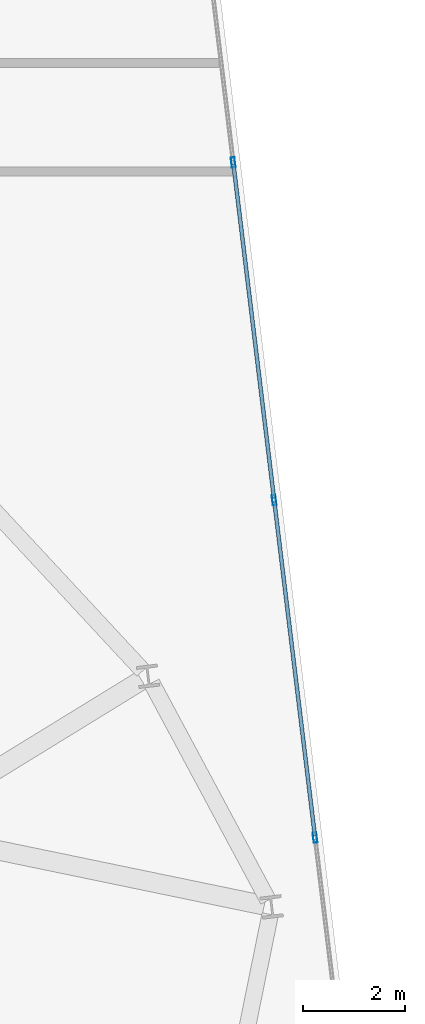
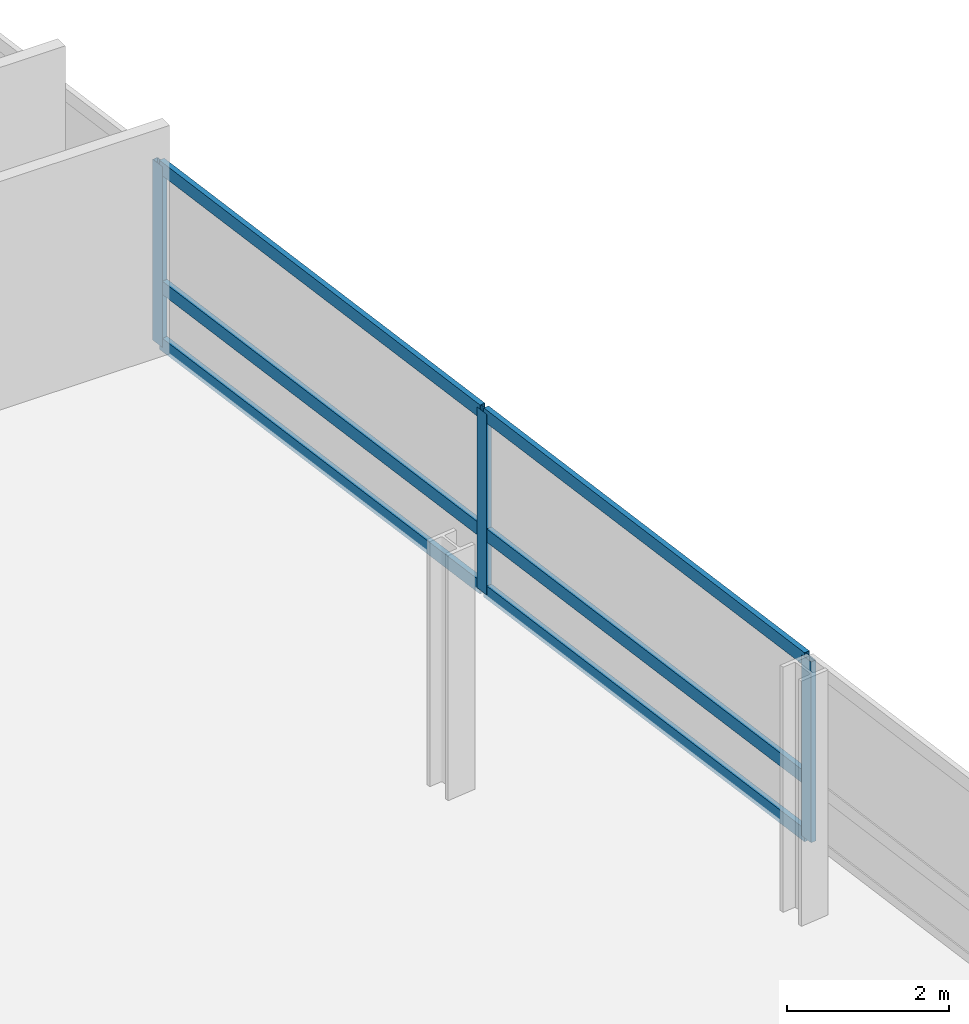
# One storey, part 12 of 23: 9 members, 1 element without a shape of its own.
"""IFC4 building model written with IfcOpenShell, lengths in metres."""

from ifc_helpers import new_model, si_unit, direction, frame, origin, origin_2d, place, context, subcontext, project, spatial, hollow_rectangle, extrude, material, layer, layer_set, material_profile, profile_set, type_object, element, aggregate, save


model = new_model("IFC4")

# Units and contexts
model_context = context("Model", 3, precision=1e-05, world=origin(), true_north=direction((0.0, 1.0)))
body_context = subcontext(model_context, "Body", "Model", "MODEL_VIEW")
ifc_project = project(units=[si_unit("LENGTHUNIT", "METRE"), si_unit("AREAUNIT", "SQUARE_METRE"), si_unit("VOLUMEUNIT", "CUBIC_METRE"), si_unit("PLANEANGLEUNIT", "RADIAN"), si_unit("MASSUNIT", "GRAM", prefix="KILO")], contexts=[model_context])

# Site, building, storey
site_placement = place(None, origin())
site = spatial("IfcSite", under=ifc_project, at=site_placement, CompositionType="ELEMENT")
building_placement = place(site_placement, origin())
building = spatial("IfcBuilding", under=site, at=building_placement, Name="Varnelok Gate Tower", CompositionType="ELEMENT")
storey_placement = place(building_placement, frame((0.0, 0.0, 182.0)))
storey = spatial("IfcBuildingStorey", under=building, at=storey_placement, Name="L46", CompositionType="ELEMENT", Elevation=182.0)

# Curtain wall, members
ifc_material = material(Name="Anodized Aluminum Alloy 6063-T6", Category="aluminium")
ifc_layer = layer(ifc_material, 0.179931640625)
ifc_layer_set = layer_set([ifc_layer], Name="Anodized Aluminum Alloy 6063-T6")
curtain_wall_type = type_object("IfcCurtainWallType", Name="CW4-RESIDENCE-VISION", PredefinedType="USERDEFINED", material=ifc_layer_set)
curtain_wall_placement = place(storey_placement, origin())
curtain_wall = element("IfcCurtainWall", 1, at=curtain_wall_placement, inside=storey, type_object=curtain_wall_type, Name="L46 East End Vision Curtain Wall", ObjectType="UNITISED CURTAIN WALL", PredefinedType="USERDEFINED")
ifc_material_profile_1 = material_profile(ifc_material, hollow_rectangle(XDim=0.074951171875, YDim=0.199951171875, WallThickness=0.00390625, at=origin_2d()), Name="ALU200X75X4")
ifc_profile_set_1 = profile_set([ifc_material_profile_1], Name="Anodized Aluminum Alloy 6063-T6")
member_type_1 = type_object("IfcMemberType", Name="CW-MULL-200", PredefinedType="MULLION", material=ifc_profile_set_1)
member_1_placement = place(storey_placement, frame((72.898681640625, 39.478515625, 0.0), z_axis=(0.0, 0.0, 1.0), x_axis=(0.992732188751, 0.120344511371, 0.0)))
member_1 = element("IfcMember", 2, at=member_1_placement, type_object=member_type_1, Name="CW4 mullion 2", PredefinedType="MULLION", context=body_context, shape_type="SweptSolid", body=[
    extrude(hollow_rectangle(XDim=0.074951171875, YDim=0.199951171875, WallThickness=0.00390625, at=origin_2d()), origin(), (0.0, 0.0, 1.0), 2.72998046875),
])
member_2_placement = place(storey_placement, frame((73.702392578125, 32.846923828125, 0.0), z_axis=(0.0, 0.0, 1.0), x_axis=(0.992732188751, 0.120344511371, 0.0)))
member_2 = element("IfcMember", 3, at=member_2_placement, type_object=member_type_1, Name="CW4 mullion 3", PredefinedType="MULLION", context=body_context, shape_type="SweptSolid", body=[
    extrude(hollow_rectangle(XDim=0.074951171875, YDim=0.199951171875, WallThickness=0.00390625, at=origin_2d()), origin(), (0.0, 0.0, 1.0), 2.72998046875),
])
member_3_placement = place(storey_placement, frame((74.50634765625, 26.215576171875, 0.0), z_axis=(0.0, 0.0, 1.0), x_axis=(0.992732188751, 0.120344511371, 0.0)))
member_3 = element("IfcMember", 4, at=member_3_placement, type_object=member_type_1, Name="CW4 mullion 4", PredefinedType="MULLION", context=body_context, shape_type="SweptSolid", body=[
    extrude(hollow_rectangle(XDim=0.074951171875, YDim=0.199951171875, WallThickness=0.00390625, at=origin_2d()), origin(), (0.0, 0.0, 1.0), 2.72998046875),
])
ifc_material_profile_2 = material_profile(ifc_material, hollow_rectangle(XDim=0.074951171875, YDim=0.199951171875, WallThickness=0.00390625, at=origin_2d()), Name="ALU200X75X4")
ifc_profile_set_2 = profile_set([ifc_material_profile_2], Name="Anodized Aluminum Alloy 6063-T6")
member_type_2 = type_object("IfcMemberType", Name="CW-TRAN-200", PredefinedType="USERDEFINED", material=ifc_profile_set_2)
member_4_placement = place(storey_placement, frame((72.903076171875, 39.441162109375, 0.03759765625), z_axis=(0.120353445289, -0.992731105691, 0.0), x_axis=(0.992731105691, 0.120353445289, 0.0)))
member_4 = element("IfcMember", 5, at=member_4_placement, type_object=member_type_2, Name="CW4 transom 2.1", ObjectType="TRANSOM", PredefinedType="USERDEFINED", context=body_context, shape_type="SweptSolid", body=[
    extrude(hollow_rectangle(XDim=0.074951171875, YDim=0.199951171875, WallThickness=0.00390625, at=origin_2d()), origin(), (0.0, 0.0, 1.0), 6.60498046875),
])
member_5_placement = place(storey_placement, frame((72.903076171875, 39.441162109375, 0.89990234375), z_axis=(0.120353445289, -0.992731105691, 0.0), x_axis=(0.992731105691, 0.120353445289, 0.0)))
member_5 = element("IfcMember", 6, at=member_5_placement, type_object=member_type_2, Name="CW4 transom 2.2", ObjectType="TRANSOM", PredefinedType="USERDEFINED", context=body_context, shape_type="SweptSolid", body=[
    extrude(hollow_rectangle(XDim=0.074951171875, YDim=0.199951171875, WallThickness=0.00390625, at=origin_2d()), origin(), (0.0, 0.0, 1.0), 6.60498046875),
])
member_6_placement = place(storey_placement, frame((72.903076171875, 39.441162109375, 2.6923828125), z_axis=(0.120353445289, -0.992731105691, 0.0), x_axis=(0.992731105691, 0.120353445289, 0.0)))
member_6 = element("IfcMember", 7, at=member_6_placement, type_object=member_type_2, Name="CW4 transom 2.3", ObjectType="TRANSOM", PredefinedType="USERDEFINED", context=body_context, shape_type="SweptSolid", body=[
    extrude(hollow_rectangle(XDim=0.074951171875, YDim=0.199951171875, WallThickness=0.00390625, at=origin_2d()), origin(), (0.0, 0.0, 1.0), 6.60498046875),
])
member_7_placement = place(storey_placement, frame((73.70703125, 32.809814453125, 0.03759765625), z_axis=(0.120349029092, -0.992731641078, 0.0), x_axis=(0.992731641078, 0.120349029092, 0.0)))
member_7 = element("IfcMember", 8, at=member_7_placement, type_object=member_type_2, Name="CW4 transom 3.1", ObjectType="TRANSOM", PredefinedType="USERDEFINED", context=body_context, shape_type="SweptSolid", body=[
    extrude(hollow_rectangle(XDim=0.074951171875, YDim=0.199951171875, WallThickness=0.00390625, at=origin_2d()), origin(), (0.0, 0.0, 1.0), 6.605224609375),
])
member_8_placement = place(storey_placement, frame((73.70703125, 32.809814453125, 0.89990234375), z_axis=(0.120349029092, -0.992731641078, 0.0), x_axis=(0.992731641078, 0.120349029092, 0.0)))
member_8 = element("IfcMember", 9, at=member_8_placement, type_object=member_type_2, Name="CW4 transom 3.2", ObjectType="TRANSOM", PredefinedType="USERDEFINED", context=body_context, shape_type="SweptSolid", body=[
    extrude(hollow_rectangle(XDim=0.074951171875, YDim=0.199951171875, WallThickness=0.00390625, at=origin_2d()), origin(), (0.0, 0.0, 1.0), 6.605224609375),
])
member_9_placement = place(storey_placement, frame((73.70703125, 32.809814453125, 2.6923828125), z_axis=(0.120349029092, -0.992731641078, 0.0), x_axis=(0.992731641078, 0.120349029092, 0.0)))
member_9 = element("IfcMember", 10, at=member_9_placement, type_object=member_type_2, Name="CW4 transom 3.3", ObjectType="TRANSOM", PredefinedType="USERDEFINED", context=body_context, shape_type="SweptSolid", body=[
    extrude(hollow_rectangle(XDim=0.074951171875, YDim=0.199951171875, WallThickness=0.00390625, at=origin_2d()), origin(), (0.0, 0.0, 1.0), 6.605224609375),
])
aggregate(curtain_wall, [member_1, member_2, member_3, member_4, member_5, member_6, member_7, member_8, member_9])

save(model, "model.ifc")
